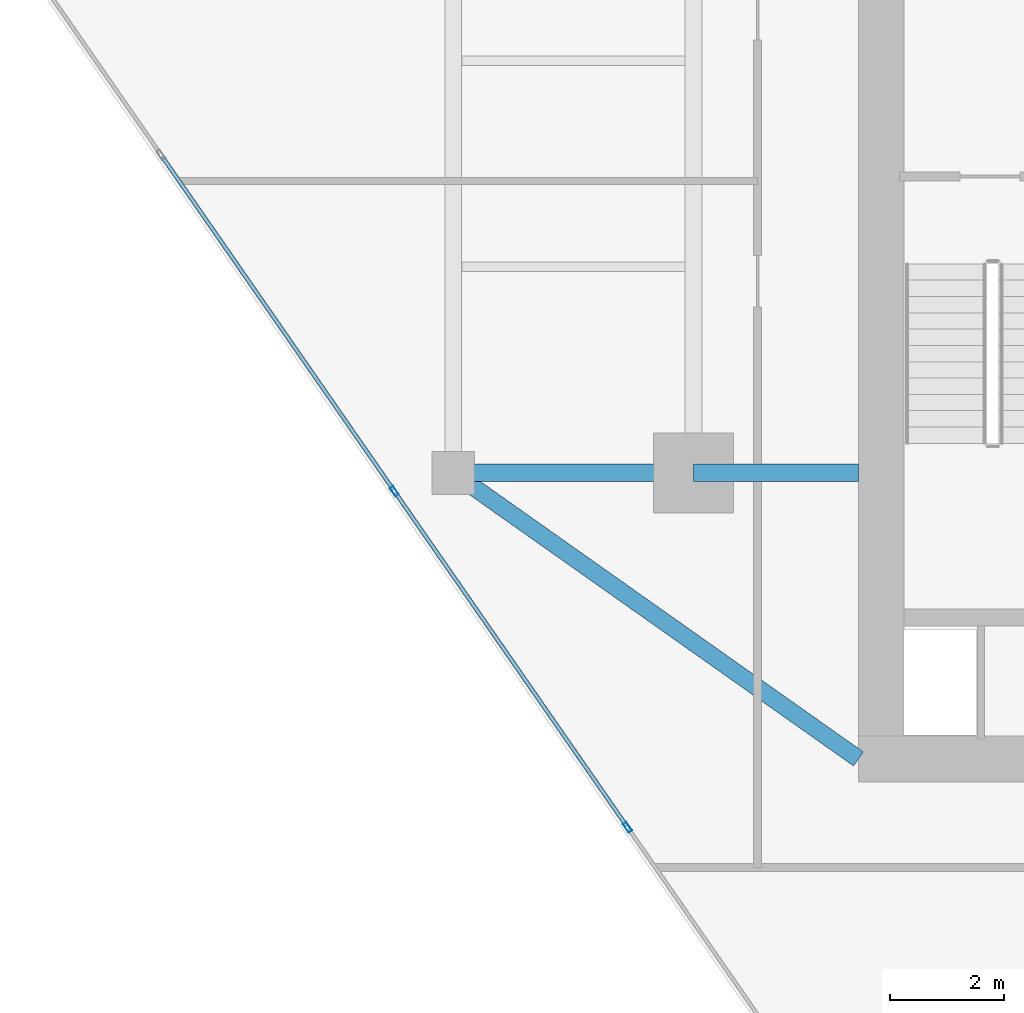
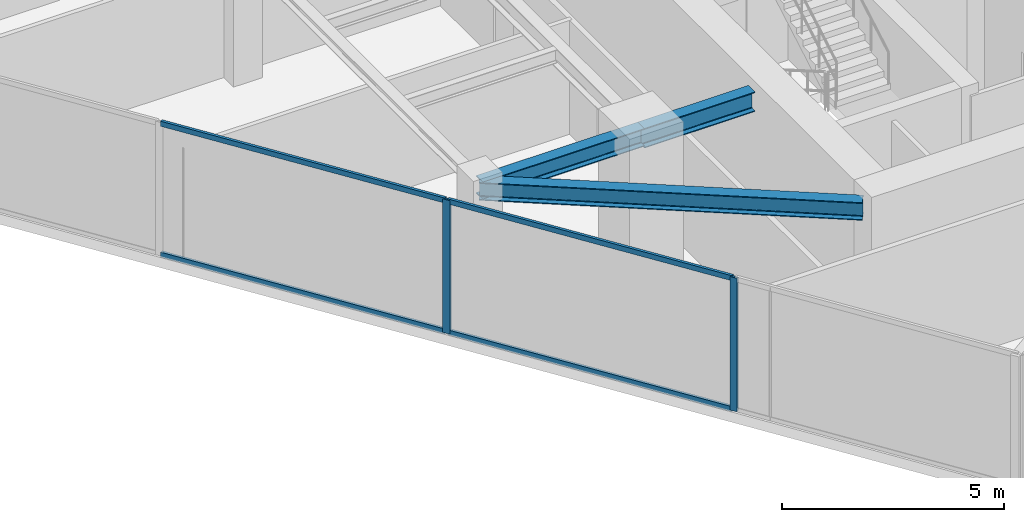
# One storey, part 2 of 21: 6 members, 3 beams, 1 element without a shape of its own.
"""IFC4 building model written with IfcOpenShell, lengths in metres."""

from ifc_helpers import new_model, si_unit, direction, frame, origin, origin_2d, place, context, subcontext, project, spatial, hollow_rectangle, i_section, extrude, source, transform, mapped, material, material_profile, profile_set, type_object, type_shapes, element, aggregate, save


model = new_model("IFC4")

# Units and contexts
model_context = context("Model", 3, precision=1e-05, world=origin(), true_north=direction((0.0, 1.0)))
body_context = subcontext(model_context, "Body", "Model", "MODEL_VIEW")
ifc_project = project(units=[si_unit("LENGTHUNIT", "METRE"), si_unit("AREAUNIT", "SQUARE_METRE"), si_unit("VOLUMEUNIT", "CUBIC_METRE"), si_unit("PLANEANGLEUNIT", "RADIAN"), si_unit("MASSUNIT", "GRAM", prefix="KILO")], contexts=[model_context])

# Site, building, storey
site_placement = place(None, origin())
site = spatial("IfcSite", under=ifc_project, at=site_placement, CompositionType="ELEMENT")
building_placement = place(site_placement, origin())
building = spatial("IfcBuilding", under=site, at=building_placement, Name="Krantzveldt Concourse Tower", CompositionType="ELEMENT")
storey_placement = place(building_placement, frame((0.0, 0.0, 279.25)))
storey = spatial("IfcBuildingStorey", under=building, at=storey_placement, Name="L68", CompositionType="ELEMENT", Elevation=279.25)

# Beams
ifc_material_1 = material(Name="Steel S355JR", Category="steel")
ifc_material_profile_1 = material_profile(ifc_material_1, i_section(OverallWidth=0.300048828125, OverallDepth=0.489990234375, WebThickness=0.011962890625, FlangeThickness=0.02294921875, FilletRadius=0.027099609375, at=origin_2d()), Name="Steel S355JR", Category="steel")
ifc_profile_set_1 = profile_set([ifc_material_profile_1], Name="Steel S355JR - HEA 500")
beam_type_1 = type_object("IfcBeamType", Name="BM-B-HEA500", PredefinedType="BEAM", material=ifc_profile_set_1)
shared_shape_1 = source(origin(), body_context, "Body", "SweptSolid", [
    extrude(i_section(OverallWidth=0.300048828125, OverallDepth=0.489990234375, WebThickness=0.011962890625, FlangeThickness=0.02294921875, FilletRadius=0.027099609375, at=origin_2d()), origin(), (0.0, 0.0, 1.0), 4.199951171875),
])
beam_1_placement = place(storey_placement, frame((21.0, 15.89990234375, 3.425048828125), z_axis=(1.0, 0.0, 0.0), x_axis=(0.0, 1.0, 0.0)))
element("IfcBeam", 1, at=beam_1_placement, inside=storey, type_object=beam_type_1, Name="L68 Tower Girder BR-RL1", PredefinedType="BEAM", context=body_context, shape_type="MappedRepresentation", body=[
    mapped(shared_shape_1, transform((0.0, 0.0, 0.0), x_axis=(1.0, 0.0, 0.0), y_axis=(0.0, 1.0, 0.0), z_axis=(0.0, 0.0, 1.0), scale=1.0)),
])
shared_shape_2 = source(origin(), body_context, "Body", "SweptSolid", [
    extrude(i_section(OverallWidth=0.300048828125, OverallDepth=0.489990234375, WebThickness=0.011962890625, FlangeThickness=0.02294921875, FilletRadius=0.027099609375, at=origin_2d()), origin(), (0.0, 0.0, 1.0), 8.667724609375),
])
type_shapes(beam_type_1, [shared_shape_1, shared_shape_2])
beam_2_placement = place(storey_placement, frame((21.0, 15.89990234375, 3.425048828125), z_axis=(0.81684294656, -0.576860122261, 0.0), x_axis=(0.576860122261, 0.81684294656, 0.0)))
element("IfcBeam", 2, at=beam_2_placement, inside=storey, type_object=beam_type_1, Name="L68 Tower Girder BR-CSW", PredefinedType="BEAM", context=body_context, shape_type="MappedRepresentation", body=[
    mapped(shared_shape_2, transform((0.0, 0.0, 0.0), x_axis=(1.0, 0.0, 0.0), y_axis=(0.0, 1.0, 0.0), z_axis=(0.0, 0.0, 1.0), scale=1.0)),
])
ifc_material_profile_2 = material_profile(ifc_material_1, i_section(OverallWidth=0.300048828125, OverallDepth=0.5400390625, WebThickness=0.012451171875, FlangeThickness=0.02392578125, FilletRadius=0.027099609375, at=origin_2d()), Name="Steel S355JR", Category="steel")
ifc_profile_set_2 = profile_set([ifc_material_profile_2], Name="Steel S355JR - HEA 550")
beam_type_2 = type_object("IfcBeamType", Name="BM-B-HEA550", PredefinedType="BEAM", material=ifc_profile_set_2)
shared_shape_3 = source(origin(), body_context, "Body", "SweptSolid", [
    extrude(i_section(OverallWidth=0.300048828125, OverallDepth=0.5400390625, WebThickness=0.012451171875, FlangeThickness=0.02392578125, FilletRadius=0.027099609375, at=origin_2d()), origin(), (0.0, 0.0, 1.0), 2.880126953125),
])
type_shapes(beam_type_2, [shared_shape_3])
beam_3_placement = place(storey_placement, frame((25.199951171875, 15.89990234375, 3.39990234375), z_axis=(1.0, 0.0, 0.0), x_axis=(0.0, 1.0, 0.0)))
element("IfcBeam", 3, at=beam_3_placement, inside=storey, type_object=beam_type_2, Name="L68 Tower Girder BG-CW1", PredefinedType="BEAM", context=body_context, shape_type="MappedRepresentation", body=[
    mapped(shared_shape_3, transform((0.0, 0.0, 0.0), x_axis=(1.0, 0.0, 0.0), y_axis=(0.0, 1.0, 0.0), z_axis=(0.0, 0.0, 1.0), scale=1.0)),
])

# Curtain wall, members
ifc_material_2 = material(Name="Anodised aluminium 6063-T6", Category="aluminium")
curtain_wall_type = type_object("IfcCurtainWallType", Name="CW4", PredefinedType="USERDEFINED", material=ifc_material_2)
curtain_wall_placement = place(storey_placement, origin())
curtain_wall = element("IfcCurtainWall", 4, at=curtain_wall_placement, inside=storey, type_object=curtain_wall_type, Name="CW-L68-F08", ObjectType="UNITISED CURTAIN WALL", PredefinedType="USERDEFINED")
ifc_material_profile_3 = material_profile(ifc_material_2, hollow_rectangle(XDim=0.070068359375, YDim=0.179931640625, WallThickness=0.0048828125, at=origin_2d()), Name="Anodised aluminium 6063-T6", Category="aluminium")
ifc_profile_set_3 = profile_set([ifc_material_profile_3], Name="Anodised aluminium 6063-T6 - ALU-MULL 180x70x5")
member_type_1 = type_object("IfcMemberType", Name="CW-MUL-180", PredefinedType="MULLION", material=ifc_profile_set_3)
shared_shape_4 = source(origin(), body_context, "Body", "SweptSolid", [
    extrude(hollow_rectangle(XDim=0.070068359375, YDim=0.179931640625, WallThickness=0.0048828125, at=origin_2d()), origin(), (0.0, 0.0, 1.0), 3.669921875),
])
type_shapes(member_type_1, [shared_shape_4])
member_1_placement = place(storey_placement, frame((19.9697265625, 15.579345703125, 0.0), z_axis=(0.0, 0.0, 1.0), x_axis=(0.821647031735, 0.569996627395, 0.0)))
member_1 = element("IfcMember", 5, at=member_1_placement, type_object=member_type_1, Name="CW-Z56 mullion 3", PredefinedType="MULLION", context=body_context, shape_type="MappedRepresentation", body=[
    mapped(shared_shape_4, transform((0.0, 0.0, 0.0), x_axis=(1.0, 0.0, 0.0), y_axis=(0.0, 1.0, 0.0), z_axis=(0.0, 0.0, 1.0), scale=1.0)),
])
member_2_placement = place(storey_placement, frame((24.045166015625, 9.70458984375, 0.0), z_axis=(0.0, 0.0, 1.0), x_axis=(0.821647031735, 0.569996627395, 0.0)))
member_2 = element("IfcMember", 6, at=member_2_placement, type_object=member_type_1, Name="CW-Z56 mullion 4", PredefinedType="MULLION", context=body_context, shape_type="MappedRepresentation", body=[
    mapped(shared_shape_4, transform((0.0, 0.0, 0.0), x_axis=(1.0, 0.0, 0.0), y_axis=(0.0, 1.0, 0.0), z_axis=(0.0, 0.0, 1.0), scale=1.0)),
])
ifc_material_profile_4 = material_profile(ifc_material_2, hollow_rectangle(XDim=0.070068359375, YDim=0.139892578125, WallThickness=0.0048828125, at=origin_2d()), Name="Anodised aluminium 6063-T6", Category="aluminium")
ifc_profile_set_4 = profile_set([ifc_material_profile_4], Name="Anodised aluminium 6063-T6 - ALU-TRAN 140x70x5")
member_type_2 = type_object("IfcMemberType", Name="CW-TRN-150", PredefinedType="USERDEFINED", material=ifc_profile_set_4)
shared_shape_5 = source(origin(), body_context, "Body", "SweptSolid", [
    extrude(hollow_rectangle(XDim=0.070068359375, YDim=0.139892578125, WallThickness=0.0048828125, at=origin_2d()), origin(), (0.0, 0.0, 1.0), 7.079833984375),
])
type_shapes(member_type_2, [shared_shape_5])
member_3_placement = place(storey_placement, frame((15.9140625, 21.42529296875, 0.034912109375), z_axis=(0.570011241397, -0.821636893452, 0.0), x_axis=(0.821636893452, 0.570011241397, 0.0)))
member_3 = element("IfcMember", 7, at=member_3_placement, type_object=member_type_2, Name="CW-Z56 transom 2.1", ObjectType="TRANSOM", PredefinedType="USERDEFINED", context=body_context, shape_type="MappedRepresentation", body=[
    mapped(shared_shape_5, transform((0.0, 0.0, 0.0), x_axis=(1.0, 0.0, 0.0), y_axis=(0.0, 1.0, 0.0), z_axis=(0.0, 0.0, 1.0), scale=1.0)),
])
member_4_placement = place(storey_placement, frame((15.9140625, 21.42529296875, 3.635009765625), z_axis=(0.570011241397, -0.821636893452, 0.0), x_axis=(0.821636893452, 0.570011241397, 0.0)))
member_4 = element("IfcMember", 8, at=member_4_placement, type_object=member_type_2, Name="CW-Z56 transom 2.2", ObjectType="TRANSOM", PredefinedType="USERDEFINED", context=body_context, shape_type="MappedRepresentation", body=[
    mapped(shared_shape_5, transform((0.0, 0.0, 0.0), x_axis=(1.0, 0.0, 0.0), y_axis=(0.0, 1.0, 0.0), z_axis=(0.0, 0.0, 1.0), scale=1.0)),
])
member_5_placement = place(storey_placement, frame((19.989501953125, 15.550537109375, 0.034912109375), z_axis=(0.570011241397, -0.821636893452, 0.0), x_axis=(0.821636893452, 0.570011241397, 0.0)))
member_5 = element("IfcMember", 9, at=member_5_placement, type_object=member_type_2, Name="CW-Z56 transom 3.1", ObjectType="TRANSOM", PredefinedType="USERDEFINED", context=body_context, shape_type="MappedRepresentation", body=[
    mapped(shared_shape_5, transform((0.0, 0.0, 0.0), x_axis=(1.0, 0.0, 0.0), y_axis=(0.0, 1.0, 0.0), z_axis=(0.0, 0.0, 1.0), scale=1.0)),
])
member_6_placement = place(storey_placement, frame((19.989501953125, 15.550537109375, 3.635009765625), z_axis=(0.570011241397, -0.821636893452, 0.0), x_axis=(0.821636893452, 0.570011241397, 0.0)))
member_6 = element("IfcMember", 10, at=member_6_placement, type_object=member_type_2, Name="CW-Z56 transom 3.2", ObjectType="TRANSOM", PredefinedType="USERDEFINED", context=body_context, shape_type="MappedRepresentation", body=[
    mapped(shared_shape_5, transform((0.0, 0.0, 0.0), x_axis=(1.0, 0.0, 0.0), y_axis=(0.0, 1.0, 0.0), z_axis=(0.0, 0.0, 1.0), scale=1.0)),
])
aggregate(curtain_wall, [member_1, member_2, member_3, member_4, member_5, member_6])

save(model, "model.ifc")
